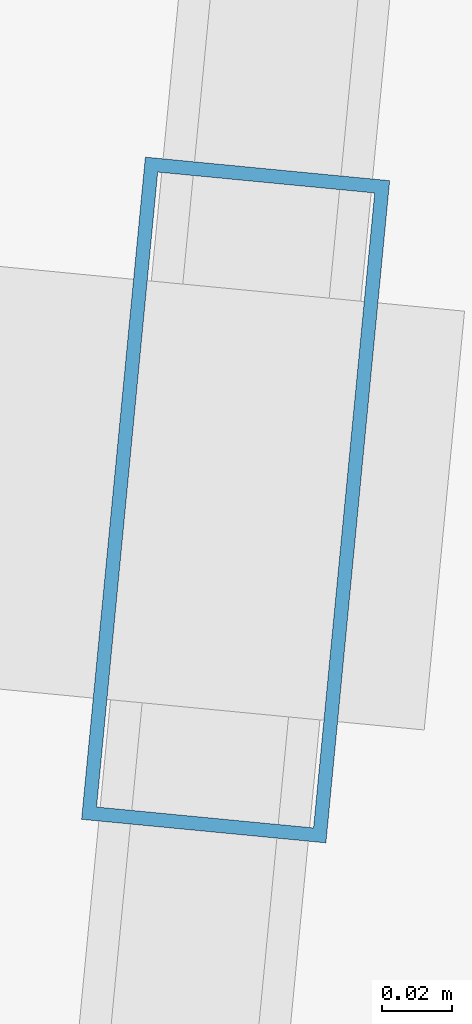
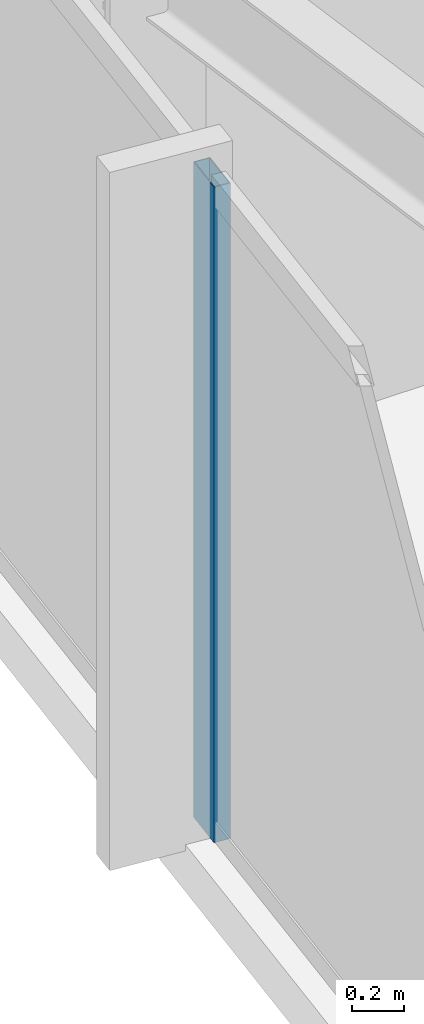
# One storey, part 4 of 37: 1 member, 1 element without a shape of its own.
"""IFC4 building model written with IfcOpenShell, lengths in metres."""

from ifc_helpers import new_model, si_unit, direction, frame, origin, origin_2d, place, context, subcontext, project, spatial, hollow_rectangle, extrude, material, material_profile, profile_set, type_object, element, aggregate, save


model = new_model("IFC4")

# Units and contexts
model_context = context("Model", 3, precision=1e-05, world=origin(), true_north=direction((0.0, 1.0)))
body_context = subcontext(model_context, "Body", "Model", "MODEL_VIEW")
ifc_project = project(units=[si_unit("LENGTHUNIT", "METRE"), si_unit("AREAUNIT", "SQUARE_METRE"), si_unit("VOLUMEUNIT", "CUBIC_METRE"), si_unit("PLANEANGLEUNIT", "RADIAN"), si_unit("MASSUNIT", "GRAM", prefix="KILO")], contexts=[model_context])

# Site, building, storey
site_placement = place(None, origin())
site = spatial("IfcSite", under=ifc_project, at=site_placement, CompositionType="ELEMENT")
building_placement = place(site_placement, origin())
building = spatial("IfcBuilding", under=site, at=building_placement, Name="Yelkora Congress Tower", CompositionType="ELEMENT")
storey_placement = place(building_placement, frame((0.0, 0.0, 158.89990234375)))
storey = spatial("IfcBuildingStorey", under=building, at=storey_placement, Name="L43", CompositionType="ELEMENT", Elevation=158.89990234375)

# Curtain wall, member
ifc_material_1 = material(Name="Anodised aluminium and insulated glass", Category="aluminium")
curtain_wall_type = type_object("IfcCurtainWallType", Name="CW-SYS-B3", PredefinedType="NOTDEFINED", material=ifc_material_1)
curtain_wall_placement = place(storey_placement, origin())
curtain_wall = element("IfcCurtainWall", 1, at=curtain_wall_placement, inside=storey, type_object=curtain_wall_type, Name="L43 Unitised Curtain Wall 5", PredefinedType="NOTDEFINED")
ifc_material_2 = material(Name="Anodised aluminium 6063-T6", Category="aluminium")
ifc_material_profile = material_profile(ifc_material_2, hollow_rectangle(XDim=0.070068359375, YDim=0.18994140625, WallThickness=0.00390625, at=origin_2d()), Name="ALU 70x190x4")
ifc_profile_set = profile_set([ifc_material_profile], Name="Anodised aluminium 6063-T6")
member_type = type_object("IfcMemberType", Name="MEM-ML-B3", PredefinedType="MULLION", material=ifc_profile_set)
member_placement = place(storey_placement, frame((1.9248046875, 22.962158203125, 0.0), z_axis=(0.0, 0.0, 1.0), x_axis=(-0.995396242473, 0.095845294465, 0.0)))
member = element("IfcMember", 2, at=member_placement, type_object=member_type, Name="CW-B3 mullion 2", PredefinedType="MULLION", context=body_context, shape_type="SweptSolid", body=[
    extrude(hollow_rectangle(XDim=0.070068359375, YDim=0.18994140625, WallThickness=0.00390625, at=origin_2d()), origin(), (0.0, 0.0, 1.0), 3.080078125),
])
aggregate(curtain_wall, [member])

save(model, "model.ifc")
